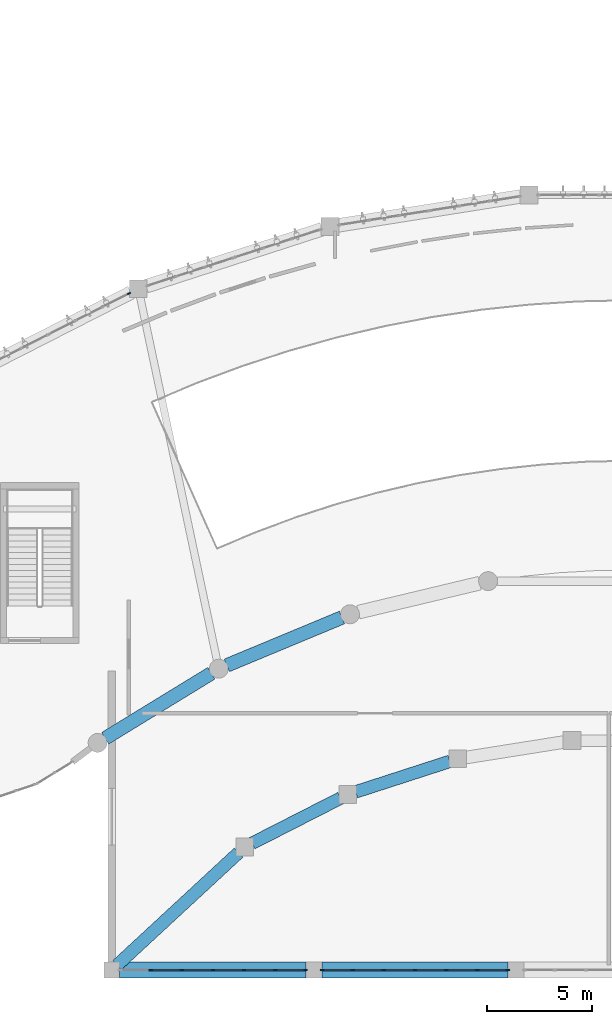
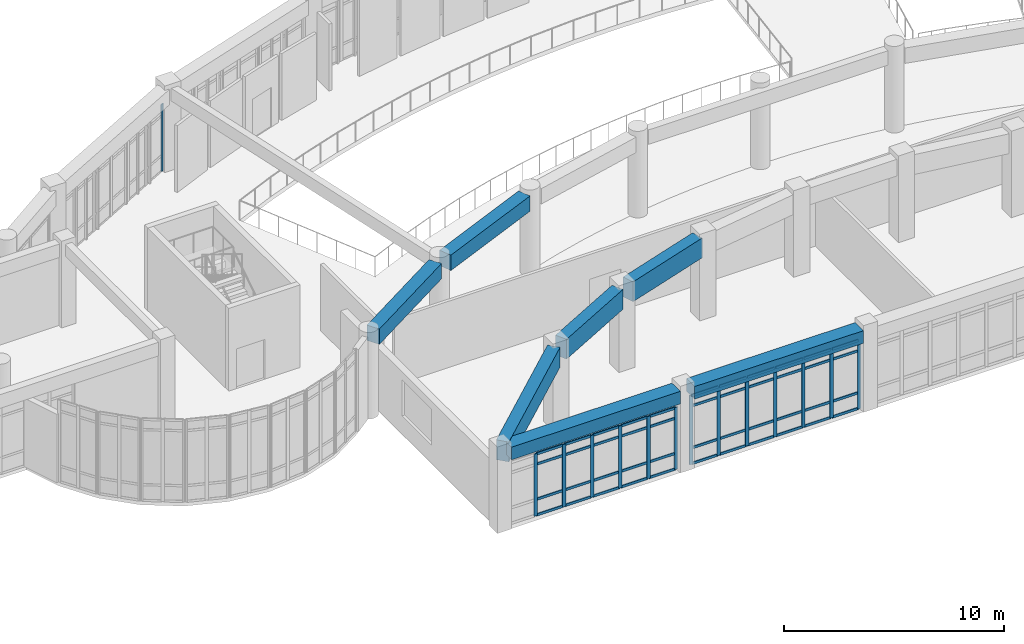
# One storey, part 12 of 68: 58 members, 7 beams, 3 elements without a shape of their own.
"""IFC4 building model written with IfcOpenShell, lengths in metres."""

from ifc_helpers import new_model, si_unit, direction, frame, origin, origin_2d, place, context, subcontext, project, spatial, rectangle, extrude, material, layer, layer_set, material_profile, profile_set, type_object, element, aggregate, save


model = new_model("IFC4")

# Units and contexts
model_context = context("Model", 3, precision=1e-05, world=origin(), true_north=direction((0.0, 1.0)))
body_context = subcontext(model_context, "Body", "Model", "MODEL_VIEW")
ifc_project = project(units=[si_unit("LENGTHUNIT", "METRE"), si_unit("AREAUNIT", "SQUARE_METRE"), si_unit("VOLUMEUNIT", "CUBIC_METRE"), si_unit("PLANEANGLEUNIT", "RADIAN"), si_unit("MASSUNIT", "GRAM", prefix="KILO")], contexts=[model_context])

# Site, building, storey
site_placement = place(None, origin())
site = spatial("IfcSite", under=ifc_project, at=site_placement, CompositionType="ELEMENT")
building_placement = place(site_placement, origin())
building = spatial("IfcBuilding", under=site, at=building_placement, Name="Miralva Faculty of Natural Sciences", CompositionType="ELEMENT")
storey_placement = place(building_placement, frame((0.0, 0.0, 5.39990234375)))
storey = spatial("IfcBuildingStorey", under=building, at=storey_placement, Name="L01", CompositionType="ELEMENT", Elevation=5.39990234375)

# Beams
ifc_material_1 = material(Name="Concrete C40/50", Category="concrete")
ifc_material_profile_1 = material_profile(ifc_material_1, rectangle(XDim=0.75, YDim=0.699951171875, at=origin_2d()), Name="RC 750x700")
ifc_profile_set_1 = profile_set([ifc_material_profile_1], Name="Concrete C40/50")
beam_type_1 = type_object("IfcBeamType", Name="BM-SP01", PredefinedType="SPANDREL", material=ifc_profile_set_1)
for number, where, z_axis, x_axis, name in (
    (1, (65.77490234375, 3.0, 4.18017578125), (1.0, 0.0, 0.0), (0.0, 1.0, 0.0), "Girder EW L01-6"),
    (2, (75.375, 3.0, 4.18017578125), (1.0, 0.0, 0.0), (0.0, 1.0, 0.0), "Girder EW L01-7"),
):
    element("IfcBeam", number, at=place(storey_placement, frame(where, z_axis=z_axis, x_axis=x_axis)), inside=storey, type_object=beam_type_1, Name=name, PredefinedType="SPANDREL", context=body_context, shape_type="SweptSolid", body=[
        extrude(rectangle(XDim=0.75, YDim=0.699951171875, at=origin_2d()), origin(), (0.0, 0.0, 1.0), 8.85009765625),
    ])
ifc_material_profile_2 = material_profile(ifc_material_1, rectangle(XDim=0.64990234375, YDim=0.85009765625, at=origin_2d()), Name="RC 650x850")
ifc_profile_set_2 = profile_set([ifc_material_profile_2], Name="Concrete C40/50")
beam_type_2 = type_object("IfcBeamType", Name="BM-SP03", PredefinedType="SPANDREL", material=ifc_profile_set_2)
beam_1_placement = place(storey_placement, frame((76.32763671875, 19.7412109375, 4.10498046875), z_axis=(-0.923376848941, -0.38389477053, 0.0), x_axis=(0.38389477053, -0.923376848941, 0.0)))
element("IfcBeam", 3, at=beam_1_placement, inside=storey, type_object=beam_type_2, Name="Curved chord girder ARCIN L01-7", PredefinedType="SPANDREL", context=body_context, shape_type="SweptSolid", body=[
    extrude(rectangle(XDim=0.64990234375, YDim=0.85009765625, at=origin_2d()), origin(), (0.0, 0.0, 1.0), 5.9189453125),
])
beam_2_placement = place(storey_placement, frame((70.126953125, 17.09375, 4.10498046875), z_axis=(-0.852887694262, -0.522094417683, 0.0), x_axis=(0.522094417683, -0.852887694262, 0.0)))
element("IfcBeam", 4, at=beam_2_placement, inside=storey, type_object=beam_type_2, Name="Curved chord girder ARCIN L01-8", PredefinedType="SPANDREL", context=body_context, shape_type="SweptSolid", body=[
    extrude(rectangle(XDim=0.64990234375, YDim=0.85009765625, at=origin_2d()), origin(), (0.0, 0.0, 1.0), 5.9140625),
])
ifc_material_profile_3 = material_profile(ifc_material_1, rectangle(XDim=0.60009765625, YDim=1.10009765625, at=origin_2d()), Name="RC 600x1100")
ifc_profile_set_3 = profile_set([ifc_material_profile_3], Name="Concrete C40/50")
beam_type_3 = type_object("IfcBeamType", Name="BM-TG01", PredefinedType="BEAM", material=ifc_profile_set_3)
beam_3_placement = place(storey_placement, frame((81.4580078125, 12.90966796875, 4.0), z_axis=(-0.951377447545, -0.308027518743, 0.0), x_axis=(0.308027518743, -0.951377447545, 0.0)))
element("IfcBeam", 5, at=beam_3_placement, inside=storey, type_object=beam_type_3, Name="Curved chord girder SHIN L01-6", PredefinedType="BEAM", context=body_context, shape_type="SweptSolid", body=[
    extrude(rectangle(XDim=0.60009765625, YDim=1.10009765625, at=origin_2d()), origin(), (0.0, 0.0, 1.0), 4.704833984375),
])
beam_4_placement = place(storey_placement, frame((76.26171875, 11.162353515625, 4.0), z_axis=(-0.890744771804, -0.454503852024, 0.0), x_axis=(0.454503852024, -0.890744771804, 0.0)))
element("IfcBeam", 6, at=beam_4_placement, inside=storey, type_object=beam_type_3, Name="Curved chord girder SHIN L01-7", PredefinedType="BEAM", context=body_context, shape_type="SweptSolid", body=[
    extrude(rectangle(XDim=0.60009765625, YDim=1.10009765625, at=origin_2d()), origin(), (0.0, 0.0, 1.0), 4.718994140625),
])
beam_5_placement = place(storey_placement, frame((71.423095703125, 8.574462890625, 4.0), z_axis=(-0.733906295868, -0.679250726083, 0.0), x_axis=(0.679250726083, -0.733906295868, 0.0)))
element("IfcBeam", 7, at=beam_5_placement, inside=storey, type_object=beam_type_3, Name="Curved chord girder SHIN L01-8", PredefinedType="BEAM", context=body_context, shape_type="SweptSolid", body=[
    extrude(rectangle(XDim=0.60009765625, YDim=1.10009765625, at=origin_2d()), origin(), (0.0, 0.0, 1.0), 7.86181640625),
])

# Curtain wall, members
ifc_material_2 = material(Name="Laminated solar-control glass", Category="glass")
ifc_layer_1 = layer(ifc_material_2, 0.179931640625, Name="CW-LEC-L01")
ifc_layer_set_1 = layer_set([ifc_layer_1], Name="Laminated solar-control glass")
curtain_wall_type_1 = type_object("IfcCurtainWallType", Name="CW-LEC-L01", PredefinedType="USERDEFINED", material=ifc_layer_set_1)
curtain_wall_1_placement = place(storey_placement, origin())
curtain_wall_1 = element("IfcCurtainWall", 8, at=curtain_wall_1_placement, inside=storey, type_object=curtain_wall_type_1, Name="Curtain wall CW-08 L01-206", ObjectType="UNITISED CURTAIN WALL", PredefinedType="USERDEFINED")
ifc_material_3 = material(Name="Anodised aluminium", Category="aluminium")
ifc_material_profile_4 = material_profile(ifc_material_3, rectangle(XDim=0.06494140625, YDim=0.179931640625, at=origin_2d()), Name="MULLION 65x180")
ifc_profile_set_4 = profile_set([ifc_material_profile_4], Name="Anodised aluminium")
member_type_1 = type_object("IfcMemberType", Name="CW-M01", PredefinedType="MULLION", material=ifc_profile_set_4)
member_1_placement = place(storey_placement, frame((67.243408203125, 3.0, 0.0), z_axis=(0.0, 0.0, 1.0), x_axis=(0.0, 1.0, 0.0)))
member_1 = element("IfcMember", 9, at=member_1_placement, type_object=member_type_1, Name="CW-08 mullion 2", PredefinedType="MULLION", context=body_context, shape_type="SweptSolid", body=[
    extrude(rectangle(XDim=0.06494140625, YDim=0.179931640625, at=origin_2d()), origin(), (0.0, 0.0, 1.0), 3.445068359375),
])
member_2_placement = place(storey_placement, frame((68.7216796875, 3.0, 0.0), z_axis=(0.0, 0.0, 1.0), x_axis=(0.0, 1.0, 0.0)))
member_2 = element("IfcMember", 10, at=member_2_placement, type_object=member_type_1, Name="CW-08 mullion 3", PredefinedType="MULLION", context=body_context, shape_type="SweptSolid", body=[
    extrude(rectangle(XDim=0.06494140625, YDim=0.179931640625, at=origin_2d()), origin(), (0.0, 0.0, 1.0), 3.445068359375),
])
member_3_placement = place(storey_placement, frame((70.199951171875, 3.0, 0.0), z_axis=(0.0, 0.0, 1.0), x_axis=(0.0, 1.0, 0.0)))
member_3 = element("IfcMember", 11, at=member_3_placement, type_object=member_type_1, Name="CW-08 mullion 4", PredefinedType="MULLION", context=body_context, shape_type="SweptSolid", body=[
    extrude(rectangle(XDim=0.06494140625, YDim=0.179931640625, at=origin_2d()), origin(), (0.0, 0.0, 1.0), 3.445068359375),
])
member_4_placement = place(storey_placement, frame((71.67822265625, 3.0, 0.0), z_axis=(0.0, 0.0, 1.0), x_axis=(0.0, 1.0, 0.0)))
member_4 = element("IfcMember", 12, at=member_4_placement, type_object=member_type_1, Name="CW-08 mullion 5", PredefinedType="MULLION", context=body_context, shape_type="SweptSolid", body=[
    extrude(rectangle(XDim=0.06494140625, YDim=0.179931640625, at=origin_2d()), origin(), (0.0, 0.0, 1.0), 3.445068359375),
])
member_5_placement = place(storey_placement, frame((73.15673828125, 3.0, 0.0), z_axis=(0.0, 0.0, 1.0), x_axis=(0.0, 1.0, 0.0)))
member_5 = element("IfcMember", 13, at=member_5_placement, type_object=member_type_1, Name="CW-08 mullion 6", PredefinedType="MULLION", context=body_context, shape_type="SweptSolid", body=[
    extrude(rectangle(XDim=0.06494140625, YDim=0.179931640625, at=origin_2d()), origin(), (0.0, 0.0, 1.0), 3.445068359375),
])
member_6_placement = place(storey_placement, frame((74.6025390625, 3.0, 0.0), z_axis=(0.0, 0.0, 1.0), x_axis=(0.0, 1.0, 0.0)))
member_6 = element("IfcMember", 14, at=member_6_placement, type_object=member_type_1, Name="CW-08 mullion 7", PredefinedType="MULLION", context=body_context, shape_type="SweptSolid", body=[
    extrude(rectangle(XDim=0.06494140625, YDim=0.179931640625, at=origin_2d()), origin(), (0.0, 0.0, 1.0), 3.445068359375),
])

curtain_wall_2_placement = place(storey_placement, origin())
curtain_wall_2 = element("IfcCurtainWall", 15, at=curtain_wall_2_placement, inside=storey, type_object=curtain_wall_type_1, Name="Curtain wall CW-08 L01-207", ObjectType="UNITISED CURTAIN WALL", PredefinedType="USERDEFINED")
member_7_placement = place(storey_placement, frame((75.3974609375, 3.0, 0.0), z_axis=(0.0, 0.0, 1.0), x_axis=(0.0, 1.0, 0.0)))
member_7 = element("IfcMember", 16, at=member_7_placement, type_object=member_type_1, Name="CW-08 mullion 1", PredefinedType="MULLION", context=body_context, shape_type="SweptSolid", body=[
    extrude(rectangle(XDim=0.06494140625, YDim=0.179931640625, at=origin_2d()), origin(), (0.0, 0.0, 1.0), 3.8251953125),
])
member_8_placement = place(storey_placement, frame((76.84326171875, 3.0, 0.0), z_axis=(0.0, 0.0, 1.0), x_axis=(0.0, 1.0, 0.0)))
member_8 = element("IfcMember", 17, at=member_8_placement, type_object=member_type_1, Name="CW-08 mullion 2", PredefinedType="MULLION", context=body_context, shape_type="SweptSolid", body=[
    extrude(rectangle(XDim=0.06494140625, YDim=0.179931640625, at=origin_2d()), origin(), (0.0, 0.0, 1.0), 3.8251953125),
])
member_9_placement = place(storey_placement, frame((78.32177734375, 3.0, 0.0), z_axis=(0.0, 0.0, 1.0), x_axis=(0.0, 1.0, 0.0)))
member_9 = element("IfcMember", 18, at=member_9_placement, type_object=member_type_1, Name="CW-08 mullion 3", PredefinedType="MULLION", context=body_context, shape_type="SweptSolid", body=[
    extrude(rectangle(XDim=0.06494140625, YDim=0.179931640625, at=origin_2d()), origin(), (0.0, 0.0, 1.0), 3.8251953125),
])
member_10_placement = place(storey_placement, frame((79.800048828125, 3.0, 0.0), z_axis=(0.0, 0.0, 1.0), x_axis=(0.0, 1.0, 0.0)))
member_10 = element("IfcMember", 19, at=member_10_placement, type_object=member_type_1, Name="CW-08 mullion 4", PredefinedType="MULLION", context=body_context, shape_type="SweptSolid", body=[
    extrude(rectangle(XDim=0.06494140625, YDim=0.179931640625, at=origin_2d()), origin(), (0.0, 0.0, 1.0), 3.8251953125),
])
member_11_placement = place(storey_placement, frame((81.2783203125, 3.0, 0.0), z_axis=(0.0, 0.0, 1.0), x_axis=(0.0, 1.0, 0.0)))
member_11 = element("IfcMember", 20, at=member_11_placement, type_object=member_type_1, Name="CW-08 mullion 5", PredefinedType="MULLION", context=body_context, shape_type="SweptSolid", body=[
    extrude(rectangle(XDim=0.06494140625, YDim=0.179931640625, at=origin_2d()), origin(), (0.0, 0.0, 1.0), 3.8251953125),
])
member_12_placement = place(storey_placement, frame((82.756591796875, 3.0, 0.0), z_axis=(0.0, 0.0, 1.0), x_axis=(0.0, 1.0, 0.0)))
member_12 = element("IfcMember", 21, at=member_12_placement, type_object=member_type_1, Name="CW-08 mullion 6", PredefinedType="MULLION", context=body_context, shape_type="SweptSolid", body=[
    extrude(rectangle(XDim=0.06494140625, YDim=0.179931640625, at=origin_2d()), origin(), (0.0, 0.0, 1.0), 3.8251953125),
])
member_13_placement = place(storey_placement, frame((84.202392578125, 3.0, 0.0), z_axis=(0.0, 0.0, 1.0), x_axis=(0.0, 1.0, 0.0)))
member_13 = element("IfcMember", 22, at=member_13_placement, type_object=member_type_1, Name="CW-08 mullion 7", PredefinedType="MULLION", context=body_context, shape_type="SweptSolid", body=[
    extrude(rectangle(XDim=0.06494140625, YDim=0.179931640625, at=origin_2d()), origin(), (0.0, 0.0, 1.0), 3.8251953125),
])

# Curtain wall, member
ifc_layer_2 = layer(ifc_material_2, 0.179931640625, Name="CW-ARC-L01")
ifc_layer_set_2 = layer_set([ifc_layer_2], Name="Laminated solar-control glass")
curtain_wall_type_2 = type_object("IfcCurtainWallType", Name="CW-ARC-L01", PredefinedType="USERDEFINED", material=ifc_layer_set_2)
curtain_wall_3_placement = place(storey_placement, origin())
curtain_wall_3 = element("IfcCurtainWall", 23, at=curtain_wall_3_placement, inside=storey, type_object=curtain_wall_type_2, Name="Curtain wall CW-02 L01-34", ObjectType="UNITISED CURTAIN WALL", PredefinedType="USERDEFINED")
ifc_material_profile_5 = material_profile(ifc_material_3, rectangle(XDim=0.06494140625, YDim=0.159912109375, at=origin_2d()), Name="MULLION 65x160")
ifc_profile_set_5 = profile_set([ifc_material_profile_5], Name="Anodised aluminium")
member_type_2 = type_object("IfcMemberType", Name="CW-M02", PredefinedType="MULLION", material=ifc_profile_set_5)
member_14_placement = place(storey_placement, frame((66.213134765625, 35.130859375, 0.0), z_axis=(0.0, 0.0, 1.0), x_axis=(-0.453969065637, 0.891017445084, 0.0)))
member_14 = element("IfcMember", 24, at=member_14_placement, type_object=member_type_2, Name="CW-02 mullion 4", PredefinedType="MULLION", context=body_context, shape_type="SweptSolid", body=[
    extrude(rectangle(XDim=0.06494140625, YDim=0.159912109375, at=origin_2d()), origin(), (0.0, 0.0, 1.0), 3.705078125),
])
aggregate(curtain_wall_3, [member_14])

# Member
ifc_material_profile_6 = material_profile(ifc_material_3, rectangle(XDim=0.06494140625, YDim=0.139892578125, at=origin_2d()), Name="TRANSOM 65x140")
ifc_profile_set_6 = profile_set([ifc_material_profile_6], Name="Anodised aluminium")
member_type_3 = type_object("IfcMemberType", Name="CW-T01", PredefinedType="USERDEFINED", material=ifc_profile_set_6)
member_15_placement = place(storey_placement, frame((67.27587890625, 3.0, 0.03271484375), z_axis=(1.0, 0.0, 0.0), x_axis=(0.0, 1.0, 0.0)))
member_15 = element("IfcMember", 25, at=member_15_placement, type_object=member_type_3, Name="CW-08 transom 2.1", ObjectType="TRANSOM", PredefinedType="USERDEFINED", context=body_context, shape_type="SweptSolid", body=[
    extrude(rectangle(XDim=0.06494140625, YDim=0.139892578125, at=origin_2d()), origin(), (0.0, 0.0, 1.0), 1.413330078125),
])

member_16_placement = place(storey_placement, frame((67.27587890625, 3.0, 0.900146484375), z_axis=(1.0, 0.0, 0.0), x_axis=(0.0, 1.0, 0.0)))
member_16 = element("IfcMember", 26, at=member_16_placement, type_object=member_type_3, Name="CW-08 transom 2.2", ObjectType="TRANSOM", PredefinedType="USERDEFINED", context=body_context, shape_type="SweptSolid", body=[
    extrude(rectangle(XDim=0.06494140625, YDim=0.139892578125, at=origin_2d()), origin(), (0.0, 0.0, 1.0), 1.413330078125),
])

member_17_placement = place(storey_placement, frame((67.27587890625, 3.0, 2.84521484375), z_axis=(1.0, 0.0, 0.0), x_axis=(0.0, 1.0, 0.0)))
member_17 = element("IfcMember", 27, at=member_17_placement, type_object=member_type_3, Name="CW-08 transom 2.3", ObjectType="TRANSOM", PredefinedType="USERDEFINED", context=body_context, shape_type="SweptSolid", body=[
    extrude(rectangle(XDim=0.06494140625, YDim=0.139892578125, at=origin_2d()), origin(), (0.0, 0.0, 1.0), 1.413330078125),
])

member_18_placement = place(storey_placement, frame((67.27587890625, 3.0, 3.41259765625), z_axis=(1.0, 0.0, 0.0), x_axis=(0.0, 1.0, 0.0)))
member_18 = element("IfcMember", 28, at=member_18_placement, type_object=member_type_3, Name="CW-08 transom 2.4", ObjectType="TRANSOM", PredefinedType="USERDEFINED", context=body_context, shape_type="SweptSolid", body=[
    extrude(rectangle(XDim=0.06494140625, YDim=0.139892578125, at=origin_2d()), origin(), (0.0, 0.0, 1.0), 1.413330078125),
])

member_19_placement = place(storey_placement, frame((68.754150390625, 3.0, 0.03271484375), z_axis=(1.0, 0.0, 0.0), x_axis=(0.0, 1.0, 0.0)))
member_19 = element("IfcMember", 29, at=member_19_placement, type_object=member_type_3, Name="CW-08 transom 3.1", ObjectType="TRANSOM", PredefinedType="USERDEFINED", context=body_context, shape_type="SweptSolid", body=[
    extrude(rectangle(XDim=0.06494140625, YDim=0.139892578125, at=origin_2d()), origin(), (0.0, 0.0, 1.0), 1.413330078125),
])

member_20_placement = place(storey_placement, frame((68.754150390625, 3.0, 0.900146484375), z_axis=(1.0, 0.0, 0.0), x_axis=(0.0, 1.0, 0.0)))
member_20 = element("IfcMember", 30, at=member_20_placement, type_object=member_type_3, Name="CW-08 transom 3.2", ObjectType="TRANSOM", PredefinedType="USERDEFINED", context=body_context, shape_type="SweptSolid", body=[
    extrude(rectangle(XDim=0.06494140625, YDim=0.139892578125, at=origin_2d()), origin(), (0.0, 0.0, 1.0), 1.413330078125),
])

member_21_placement = place(storey_placement, frame((68.754150390625, 3.0, 2.84521484375), z_axis=(1.0, 0.0, 0.0), x_axis=(0.0, 1.0, 0.0)))
member_21 = element("IfcMember", 31, at=member_21_placement, type_object=member_type_3, Name="CW-08 transom 3.3", ObjectType="TRANSOM", PredefinedType="USERDEFINED", context=body_context, shape_type="SweptSolid", body=[
    extrude(rectangle(XDim=0.06494140625, YDim=0.139892578125, at=origin_2d()), origin(), (0.0, 0.0, 1.0), 1.413330078125),
])

member_22_placement = place(storey_placement, frame((68.754150390625, 3.0, 3.41259765625), z_axis=(1.0, 0.0, 0.0), x_axis=(0.0, 1.0, 0.0)))
member_22 = element("IfcMember", 32, at=member_22_placement, type_object=member_type_3, Name="CW-08 transom 3.4", ObjectType="TRANSOM", PredefinedType="USERDEFINED", context=body_context, shape_type="SweptSolid", body=[
    extrude(rectangle(XDim=0.06494140625, YDim=0.139892578125, at=origin_2d()), origin(), (0.0, 0.0, 1.0), 1.413330078125),
])

member_23_placement = place(storey_placement, frame((70.232421875, 3.0, 0.03271484375), z_axis=(1.0, 0.0, 0.0), x_axis=(0.0, 1.0, 0.0)))
member_23 = element("IfcMember", 33, at=member_23_placement, type_object=member_type_3, Name="CW-08 transom 4.1", ObjectType="TRANSOM", PredefinedType="USERDEFINED", context=body_context, shape_type="SweptSolid", body=[
    extrude(rectangle(XDim=0.06494140625, YDim=0.139892578125, at=origin_2d()), origin(), (0.0, 0.0, 1.0), 1.413330078125),
])

member_24_placement = place(storey_placement, frame((70.232421875, 3.0, 0.900146484375), z_axis=(1.0, 0.0, 0.0), x_axis=(0.0, 1.0, 0.0)))
member_24 = element("IfcMember", 34, at=member_24_placement, type_object=member_type_3, Name="CW-08 transom 4.2", ObjectType="TRANSOM", PredefinedType="USERDEFINED", context=body_context, shape_type="SweptSolid", body=[
    extrude(rectangle(XDim=0.06494140625, YDim=0.139892578125, at=origin_2d()), origin(), (0.0, 0.0, 1.0), 1.413330078125),
])

member_25_placement = place(storey_placement, frame((70.232421875, 3.0, 2.84521484375), z_axis=(1.0, 0.0, 0.0), x_axis=(0.0, 1.0, 0.0)))
member_25 = element("IfcMember", 35, at=member_25_placement, type_object=member_type_3, Name="CW-08 transom 4.3", ObjectType="TRANSOM", PredefinedType="USERDEFINED", context=body_context, shape_type="SweptSolid", body=[
    extrude(rectangle(XDim=0.06494140625, YDim=0.139892578125, at=origin_2d()), origin(), (0.0, 0.0, 1.0), 1.413330078125),
])

member_26_placement = place(storey_placement, frame((70.232421875, 3.0, 3.41259765625), z_axis=(1.0, 0.0, 0.0), x_axis=(0.0, 1.0, 0.0)))
member_26 = element("IfcMember", 36, at=member_26_placement, type_object=member_type_3, Name="CW-08 transom 4.4", ObjectType="TRANSOM", PredefinedType="USERDEFINED", context=body_context, shape_type="SweptSolid", body=[
    extrude(rectangle(XDim=0.06494140625, YDim=0.139892578125, at=origin_2d()), origin(), (0.0, 0.0, 1.0), 1.413330078125),
])

member_27_placement = place(storey_placement, frame((71.7109375, 3.0, 0.03271484375), z_axis=(1.0, 0.0, 0.0), x_axis=(0.0, 1.0, 0.0)))
member_27 = element("IfcMember", 37, at=member_27_placement, type_object=member_type_3, Name="CW-08 transom 5.1", ObjectType="TRANSOM", PredefinedType="USERDEFINED", context=body_context, shape_type="SweptSolid", body=[
    extrude(rectangle(XDim=0.06494140625, YDim=0.139892578125, at=origin_2d()), origin(), (0.0, 0.0, 1.0), 1.413330078125),
])

member_28_placement = place(storey_placement, frame((71.7109375, 3.0, 0.900146484375), z_axis=(1.0, 0.0, 0.0), x_axis=(0.0, 1.0, 0.0)))
member_28 = element("IfcMember", 38, at=member_28_placement, type_object=member_type_3, Name="CW-08 transom 5.2", ObjectType="TRANSOM", PredefinedType="USERDEFINED", context=body_context, shape_type="SweptSolid", body=[
    extrude(rectangle(XDim=0.06494140625, YDim=0.139892578125, at=origin_2d()), origin(), (0.0, 0.0, 1.0), 1.413330078125),
])

member_29_placement = place(storey_placement, frame((71.7109375, 3.0, 2.84521484375), z_axis=(1.0, 0.0, 0.0), x_axis=(0.0, 1.0, 0.0)))
member_29 = element("IfcMember", 39, at=member_29_placement, type_object=member_type_3, Name="CW-08 transom 5.3", ObjectType="TRANSOM", PredefinedType="USERDEFINED", context=body_context, shape_type="SweptSolid", body=[
    extrude(rectangle(XDim=0.06494140625, YDim=0.139892578125, at=origin_2d()), origin(), (0.0, 0.0, 1.0), 1.413330078125),
])

member_30_placement = place(storey_placement, frame((71.7109375, 3.0, 3.41259765625), z_axis=(1.0, 0.0, 0.0), x_axis=(0.0, 1.0, 0.0)))
member_30 = element("IfcMember", 40, at=member_30_placement, type_object=member_type_3, Name="CW-08 transom 5.4", ObjectType="TRANSOM", PredefinedType="USERDEFINED", context=body_context, shape_type="SweptSolid", body=[
    extrude(rectangle(XDim=0.06494140625, YDim=0.139892578125, at=origin_2d()), origin(), (0.0, 0.0, 1.0), 1.413330078125),
])

member_31_placement = place(storey_placement, frame((73.189208984375, 3.0, 0.03271484375), z_axis=(1.0, 0.0, 0.0), x_axis=(0.0, 1.0, 0.0)))
member_31 = element("IfcMember", 41, at=member_31_placement, type_object=member_type_3, Name="CW-08 transom 6.1", ObjectType="TRANSOM", PredefinedType="USERDEFINED", context=body_context, shape_type="SweptSolid", body=[
    extrude(rectangle(XDim=0.06494140625, YDim=0.139892578125, at=origin_2d()), origin(), (0.0, 0.0, 1.0), 1.380859375),
])

member_32_placement = place(storey_placement, frame((73.189208984375, 3.0, 0.900146484375), z_axis=(1.0, 0.0, 0.0), x_axis=(0.0, 1.0, 0.0)))
member_32 = element("IfcMember", 42, at=member_32_placement, type_object=member_type_3, Name="CW-08 transom 6.2", ObjectType="TRANSOM", PredefinedType="USERDEFINED", context=body_context, shape_type="SweptSolid", body=[
    extrude(rectangle(XDim=0.06494140625, YDim=0.139892578125, at=origin_2d()), origin(), (0.0, 0.0, 1.0), 1.380859375),
])

member_33_placement = place(storey_placement, frame((73.189208984375, 3.0, 2.84521484375), z_axis=(1.0, 0.0, 0.0), x_axis=(0.0, 1.0, 0.0)))
member_33 = element("IfcMember", 43, at=member_33_placement, type_object=member_type_3, Name="CW-08 transom 6.3", ObjectType="TRANSOM", PredefinedType="USERDEFINED", context=body_context, shape_type="SweptSolid", body=[
    extrude(rectangle(XDim=0.06494140625, YDim=0.139892578125, at=origin_2d()), origin(), (0.0, 0.0, 1.0), 1.380859375),
])

member_34_placement = place(storey_placement, frame((73.189208984375, 3.0, 3.41259765625), z_axis=(1.0, 0.0, 0.0), x_axis=(0.0, 1.0, 0.0)))
member_34 = element("IfcMember", 44, at=member_34_placement, type_object=member_type_3, Name="CW-08 transom 6.4", ObjectType="TRANSOM", PredefinedType="USERDEFINED", context=body_context, shape_type="SweptSolid", body=[
    extrude(rectangle(XDim=0.06494140625, YDim=0.139892578125, at=origin_2d()), origin(), (0.0, 0.0, 1.0), 1.380859375),
])

aggregate(curtain_wall_1, [member_1, member_2, member_3, member_4, member_5, member_6, member_15, member_16, member_17, member_18, member_19, member_20, member_21, member_22, member_23, member_24, member_25, member_26, member_27, member_28, member_29, member_30, member_31, member_32, member_33, member_34])

member_35_placement = place(storey_placement, frame((75.429931640625, 3.0, 0.03271484375), z_axis=(1.0, 0.0, 0.0), x_axis=(0.0, 1.0, 0.0)))
member_35 = element("IfcMember", 45, at=member_35_placement, type_object=member_type_3, Name="CW-08 transom 1.1", ObjectType="TRANSOM", PredefinedType="USERDEFINED", context=body_context, shape_type="SweptSolid", body=[
    extrude(rectangle(XDim=0.06494140625, YDim=0.139892578125, at=origin_2d()), origin(), (0.0, 0.0, 1.0), 1.380859375),
])

member_36_placement = place(storey_placement, frame((75.429931640625, 3.0, 0.900146484375), z_axis=(1.0, 0.0, 0.0), x_axis=(0.0, 1.0, 0.0)))
member_36 = element("IfcMember", 46, at=member_36_placement, type_object=member_type_3, Name="CW-08 transom 1.2", ObjectType="TRANSOM", PredefinedType="USERDEFINED", context=body_context, shape_type="SweptSolid", body=[
    extrude(rectangle(XDim=0.06494140625, YDim=0.139892578125, at=origin_2d()), origin(), (0.0, 0.0, 1.0), 1.380859375),
])

member_37_placement = place(storey_placement, frame((75.429931640625, 3.0, 3.22509765625), z_axis=(1.0, 0.0, 0.0), x_axis=(0.0, 1.0, 0.0)))
member_37 = element("IfcMember", 47, at=member_37_placement, type_object=member_type_3, Name="CW-08 transom 1.3", ObjectType="TRANSOM", PredefinedType="USERDEFINED", context=body_context, shape_type="SweptSolid", body=[
    extrude(rectangle(XDim=0.06494140625, YDim=0.139892578125, at=origin_2d()), origin(), (0.0, 0.0, 1.0), 1.380859375),
])

member_38_placement = place(storey_placement, frame((75.429931640625, 3.0, 3.79248046875), z_axis=(1.0, 0.0, 0.0), x_axis=(0.0, 1.0, 0.0)))
member_38 = element("IfcMember", 48, at=member_38_placement, type_object=member_type_3, Name="CW-08 transom 1.4", ObjectType="TRANSOM", PredefinedType="USERDEFINED", context=body_context, shape_type="SweptSolid", body=[
    extrude(rectangle(XDim=0.06494140625, YDim=0.139892578125, at=origin_2d()), origin(), (0.0, 0.0, 1.0), 1.380859375),
])

member_39_placement = place(storey_placement, frame((76.875732421875, 3.0, 0.03271484375), z_axis=(1.0, 0.0, 0.0), x_axis=(0.0, 1.0, 0.0)))
member_39 = element("IfcMember", 49, at=member_39_placement, type_object=member_type_3, Name="CW-08 transom 2.1", ObjectType="TRANSOM", PredefinedType="USERDEFINED", context=body_context, shape_type="SweptSolid", body=[
    extrude(rectangle(XDim=0.06494140625, YDim=0.139892578125, at=origin_2d()), origin(), (0.0, 0.0, 1.0), 1.413330078125),
])

member_40_placement = place(storey_placement, frame((76.875732421875, 3.0, 0.900146484375), z_axis=(1.0, 0.0, 0.0), x_axis=(0.0, 1.0, 0.0)))
member_40 = element("IfcMember", 50, at=member_40_placement, type_object=member_type_3, Name="CW-08 transom 2.2", ObjectType="TRANSOM", PredefinedType="USERDEFINED", context=body_context, shape_type="SweptSolid", body=[
    extrude(rectangle(XDim=0.06494140625, YDim=0.139892578125, at=origin_2d()), origin(), (0.0, 0.0, 1.0), 1.413330078125),
])

member_41_placement = place(storey_placement, frame((76.875732421875, 3.0, 3.22509765625), z_axis=(1.0, 0.0, 0.0), x_axis=(0.0, 1.0, 0.0)))
member_41 = element("IfcMember", 51, at=member_41_placement, type_object=member_type_3, Name="CW-08 transom 2.3", ObjectType="TRANSOM", PredefinedType="USERDEFINED", context=body_context, shape_type="SweptSolid", body=[
    extrude(rectangle(XDim=0.06494140625, YDim=0.139892578125, at=origin_2d()), origin(), (0.0, 0.0, 1.0), 1.413330078125),
])

member_42_placement = place(storey_placement, frame((76.875732421875, 3.0, 3.79248046875), z_axis=(1.0, 0.0, 0.0), x_axis=(0.0, 1.0, 0.0)))
member_42 = element("IfcMember", 52, at=member_42_placement, type_object=member_type_3, Name="CW-08 transom 2.4", ObjectType="TRANSOM", PredefinedType="USERDEFINED", context=body_context, shape_type="SweptSolid", body=[
    extrude(rectangle(XDim=0.06494140625, YDim=0.139892578125, at=origin_2d()), origin(), (0.0, 0.0, 1.0), 1.413330078125),
])

member_43_placement = place(storey_placement, frame((78.354248046875, 3.0, 0.03271484375), z_axis=(1.0, 0.0, 0.0), x_axis=(0.0, 1.0, 0.0)))
member_43 = element("IfcMember", 53, at=member_43_placement, type_object=member_type_3, Name="CW-08 transom 3.1", ObjectType="TRANSOM", PredefinedType="USERDEFINED", context=body_context, shape_type="SweptSolid", body=[
    extrude(rectangle(XDim=0.06494140625, YDim=0.139892578125, at=origin_2d()), origin(), (0.0, 0.0, 1.0), 1.413330078125),
])

member_44_placement = place(storey_placement, frame((78.354248046875, 3.0, 0.900146484375), z_axis=(1.0, 0.0, 0.0), x_axis=(0.0, 1.0, 0.0)))
member_44 = element("IfcMember", 54, at=member_44_placement, type_object=member_type_3, Name="CW-08 transom 3.2", ObjectType="TRANSOM", PredefinedType="USERDEFINED", context=body_context, shape_type="SweptSolid", body=[
    extrude(rectangle(XDim=0.06494140625, YDim=0.139892578125, at=origin_2d()), origin(), (0.0, 0.0, 1.0), 1.413330078125),
])

member_45_placement = place(storey_placement, frame((78.354248046875, 3.0, 3.22509765625), z_axis=(1.0, 0.0, 0.0), x_axis=(0.0, 1.0, 0.0)))
member_45 = element("IfcMember", 55, at=member_45_placement, type_object=member_type_3, Name="CW-08 transom 3.3", ObjectType="TRANSOM", PredefinedType="USERDEFINED", context=body_context, shape_type="SweptSolid", body=[
    extrude(rectangle(XDim=0.06494140625, YDim=0.139892578125, at=origin_2d()), origin(), (0.0, 0.0, 1.0), 1.413330078125),
])

member_46_placement = place(storey_placement, frame((78.354248046875, 3.0, 3.79248046875), z_axis=(1.0, 0.0, 0.0), x_axis=(0.0, 1.0, 0.0)))
member_46 = element("IfcMember", 56, at=member_46_placement, type_object=member_type_3, Name="CW-08 transom 3.4", ObjectType="TRANSOM", PredefinedType="USERDEFINED", context=body_context, shape_type="SweptSolid", body=[
    extrude(rectangle(XDim=0.06494140625, YDim=0.139892578125, at=origin_2d()), origin(), (0.0, 0.0, 1.0), 1.413330078125),
])

member_47_placement = place(storey_placement, frame((79.83251953125, 3.0, 0.03271484375), z_axis=(1.0, 0.0, 0.0), x_axis=(0.0, 1.0, 0.0)))
member_47 = element("IfcMember", 57, at=member_47_placement, type_object=member_type_3, Name="CW-08 transom 4.1", ObjectType="TRANSOM", PredefinedType="USERDEFINED", context=body_context, shape_type="SweptSolid", body=[
    extrude(rectangle(XDim=0.06494140625, YDim=0.139892578125, at=origin_2d()), origin(), (0.0, 0.0, 1.0), 1.413330078125),
])

member_48_placement = place(storey_placement, frame((79.83251953125, 3.0, 0.900146484375), z_axis=(1.0, 0.0, 0.0), x_axis=(0.0, 1.0, 0.0)))
member_48 = element("IfcMember", 58, at=member_48_placement, type_object=member_type_3, Name="CW-08 transom 4.2", ObjectType="TRANSOM", PredefinedType="USERDEFINED", context=body_context, shape_type="SweptSolid", body=[
    extrude(rectangle(XDim=0.06494140625, YDim=0.139892578125, at=origin_2d()), origin(), (0.0, 0.0, 1.0), 1.413330078125),
])

member_49_placement = place(storey_placement, frame((79.83251953125, 3.0, 3.22509765625), z_axis=(1.0, 0.0, 0.0), x_axis=(0.0, 1.0, 0.0)))
member_49 = element("IfcMember", 59, at=member_49_placement, type_object=member_type_3, Name="CW-08 transom 4.3", ObjectType="TRANSOM", PredefinedType="USERDEFINED", context=body_context, shape_type="SweptSolid", body=[
    extrude(rectangle(XDim=0.06494140625, YDim=0.139892578125, at=origin_2d()), origin(), (0.0, 0.0, 1.0), 1.413330078125),
])

member_50_placement = place(storey_placement, frame((79.83251953125, 3.0, 3.79248046875), z_axis=(1.0, 0.0, 0.0), x_axis=(0.0, 1.0, 0.0)))
member_50 = element("IfcMember", 60, at=member_50_placement, type_object=member_type_3, Name="CW-08 transom 4.4", ObjectType="TRANSOM", PredefinedType="USERDEFINED", context=body_context, shape_type="SweptSolid", body=[
    extrude(rectangle(XDim=0.06494140625, YDim=0.139892578125, at=origin_2d()), origin(), (0.0, 0.0, 1.0), 1.413330078125),
])

member_51_placement = place(storey_placement, frame((81.310791015625, 3.0, 0.03271484375), z_axis=(1.0, 0.0, 0.0), x_axis=(0.0, 1.0, 0.0)))
member_51 = element("IfcMember", 61, at=member_51_placement, type_object=member_type_3, Name="CW-08 transom 5.1", ObjectType="TRANSOM", PredefinedType="USERDEFINED", context=body_context, shape_type="SweptSolid", body=[
    extrude(rectangle(XDim=0.06494140625, YDim=0.139892578125, at=origin_2d()), origin(), (0.0, 0.0, 1.0), 1.413330078125),
])

member_52_placement = place(storey_placement, frame((81.310791015625, 3.0, 0.900146484375), z_axis=(1.0, 0.0, 0.0), x_axis=(0.0, 1.0, 0.0)))
member_52 = element("IfcMember", 62, at=member_52_placement, type_object=member_type_3, Name="CW-08 transom 5.2", ObjectType="TRANSOM", PredefinedType="USERDEFINED", context=body_context, shape_type="SweptSolid", body=[
    extrude(rectangle(XDim=0.06494140625, YDim=0.139892578125, at=origin_2d()), origin(), (0.0, 0.0, 1.0), 1.413330078125),
])

member_53_placement = place(storey_placement, frame((81.310791015625, 3.0, 3.22509765625), z_axis=(1.0, 0.0, 0.0), x_axis=(0.0, 1.0, 0.0)))
member_53 = element("IfcMember", 63, at=member_53_placement, type_object=member_type_3, Name="CW-08 transom 5.3", ObjectType="TRANSOM", PredefinedType="USERDEFINED", context=body_context, shape_type="SweptSolid", body=[
    extrude(rectangle(XDim=0.06494140625, YDim=0.139892578125, at=origin_2d()), origin(), (0.0, 0.0, 1.0), 1.413330078125),
])

member_54_placement = place(storey_placement, frame((81.310791015625, 3.0, 3.79248046875), z_axis=(1.0, 0.0, 0.0), x_axis=(0.0, 1.0, 0.0)))
member_54 = element("IfcMember", 64, at=member_54_placement, type_object=member_type_3, Name="CW-08 transom 5.4", ObjectType="TRANSOM", PredefinedType="USERDEFINED", context=body_context, shape_type="SweptSolid", body=[
    extrude(rectangle(XDim=0.06494140625, YDim=0.139892578125, at=origin_2d()), origin(), (0.0, 0.0, 1.0), 1.413330078125),
])

member_55_placement = place(storey_placement, frame((82.7890625, 3.0, 0.03271484375), z_axis=(1.0, 0.0, 0.0), x_axis=(0.0, 1.0, 0.0)))
member_55 = element("IfcMember", 65, at=member_55_placement, type_object=member_type_3, Name="CW-08 transom 6.1", ObjectType="TRANSOM", PredefinedType="USERDEFINED", context=body_context, shape_type="SweptSolid", body=[
    extrude(rectangle(XDim=0.06494140625, YDim=0.139892578125, at=origin_2d()), origin(), (0.0, 0.0, 1.0), 1.380859375),
])

member_56_placement = place(storey_placement, frame((82.7890625, 3.0, 0.900146484375), z_axis=(1.0, 0.0, 0.0), x_axis=(0.0, 1.0, 0.0)))
member_56 = element("IfcMember", 66, at=member_56_placement, type_object=member_type_3, Name="CW-08 transom 6.2", ObjectType="TRANSOM", PredefinedType="USERDEFINED", context=body_context, shape_type="SweptSolid", body=[
    extrude(rectangle(XDim=0.06494140625, YDim=0.139892578125, at=origin_2d()), origin(), (0.0, 0.0, 1.0), 1.380859375),
])

member_57_placement = place(storey_placement, frame((82.7890625, 3.0, 3.22509765625), z_axis=(1.0, 0.0, 0.0), x_axis=(0.0, 1.0, 0.0)))
member_57 = element("IfcMember", 67, at=member_57_placement, type_object=member_type_3, Name="CW-08 transom 6.3", ObjectType="TRANSOM", PredefinedType="USERDEFINED", context=body_context, shape_type="SweptSolid", body=[
    extrude(rectangle(XDim=0.06494140625, YDim=0.139892578125, at=origin_2d()), origin(), (0.0, 0.0, 1.0), 1.380859375),
])

member_58_placement = place(storey_placement, frame((82.7890625, 3.0, 3.79248046875), z_axis=(1.0, 0.0, 0.0), x_axis=(0.0, 1.0, 0.0)))
member_58 = element("IfcMember", 68, at=member_58_placement, type_object=member_type_3, Name="CW-08 transom 6.4", ObjectType="TRANSOM", PredefinedType="USERDEFINED", context=body_context, shape_type="SweptSolid", body=[
    extrude(rectangle(XDim=0.06494140625, YDim=0.139892578125, at=origin_2d()), origin(), (0.0, 0.0, 1.0), 1.380859375),
])

aggregate(curtain_wall_2, [member_7, member_8, member_9, member_10, member_11, member_12, member_13, member_35, member_36, member_37, member_38, member_39, member_40, member_41, member_42, member_43, member_44, member_45, member_46, member_47, member_48, member_49, member_50, member_51, member_52, member_53, member_54, member_55, member_56, member_57, member_58])

save(model, "model.ifc")
